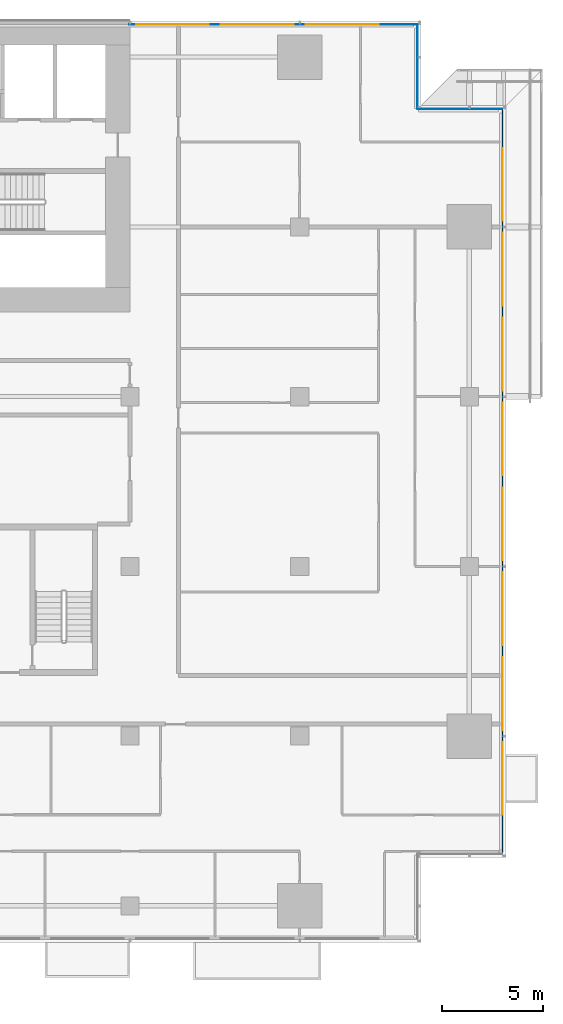
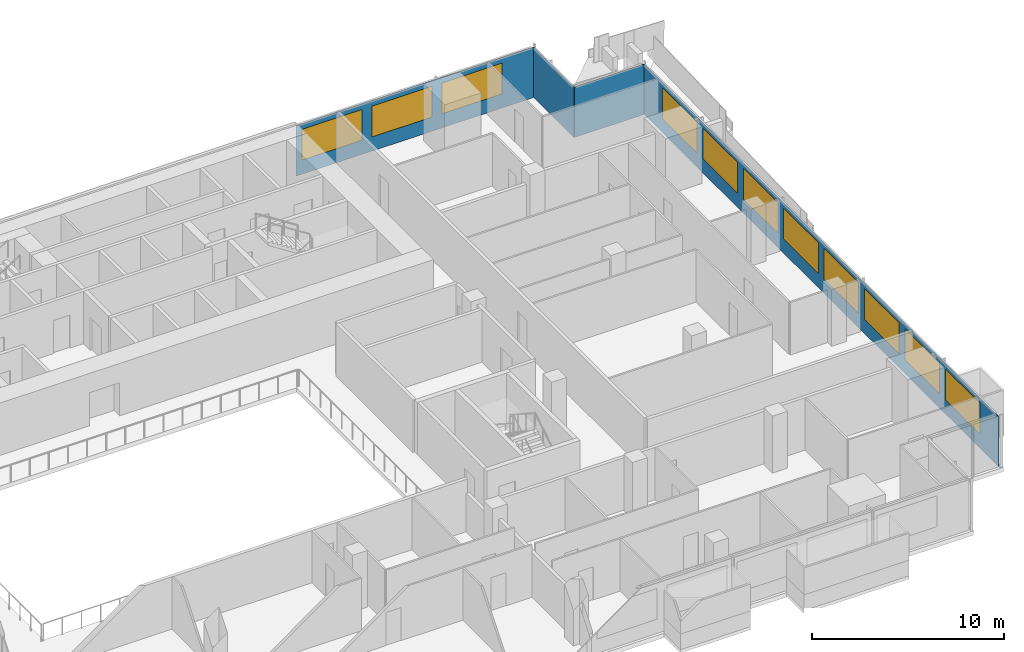
# One storey, part 17 of 29: 11 windows, 4 plates, 11 openings, 4 elements without a shape of their own.
"""IFC4 building model written with IfcOpenShell, lengths in metres."""

import ifcopenshell
import ifcopenshell.guid

model = None  # the IFC model being written
_history = None  # IfcOwnerHistory: only IFC2X3 demands one
_inside = {}  # id of a spatial element -> (the spatial element, [elements in it])
_under = {}  # id of a project, library or spatial element -> (it, [spatial elements below it])
_declared = {}  # id of a project -> (the project, [libraries it declares])
_typed = {}  # id of a type object -> (the type object, [elements of that type])
_made_of = {}  # id of a material, layer set ... -> (it, [elements and type objects made of it])


def new_model(schema):
    """Start an empty IFC model of exactly this schema.

    Asked for "IFC4X3", IfcOpenShell would pick the latest addendum, in which some entities
    have other attributes; the version numbers below select the first issue.
    IFC2X3 requires an IfcOwnerHistory on every rooted entity: one is made here for all.
    """
    global model, _history
    if schema == "IFC4X3":
        model = ifcopenshell.file(schema_version=(4, 3, 0, 0))
    else:
        model = ifcopenshell.file(schema=schema)
    _inside.clear()
    _under.clear()
    _declared.clear()
    _typed.clear()
    _made_of.clear()
    _history = None
    if model.schema == "IFC2X3":
        org = make("IfcOrganization", Name="unknown")
        user = make(
            "IfcPersonAndOrganization",
            ThePerson=make("IfcPerson", FamilyName="unknown"),
            TheOrganization=org,
        )
        app = make(
            "IfcApplication",
            ApplicationDeveloper=org,
            Version="unknown",
            ApplicationFullName="unknown",
            ApplicationIdentifier="unknown",
        )
        _history = make(
            "IfcOwnerHistory",
            OwningUser=user,
            OwningApplication=app,
            ChangeAction="ADDED",
            CreationDate=0,
        )
    return model


def make(cls, **values):
    """One entity of the class cls with the attributes given. An attribute that is None is left unset."""
    return model.create_entity(
        cls, **{name: value for name, value in values.items() if value is not None}
    )


def rooted(cls, **values):
    """An entity with a GlobalId (a new one), such as an element, a storey or a relation."""
    return make(cls, GlobalId=ifcopenshell.guid.new(), OwnerHistory=_history, **values)


def si_unit(unit_type, name, prefix=None):
    """IfcSIUnit, for example si_unit("LENGTHUNIT", "METRE", prefix="MILLI")."""
    return make("IfcSIUnit", UnitType=unit_type, Prefix=prefix, Name=name)


def assignment(units):
    """IfcUnitAssignment: the units of a project."""
    return None if units is None else make("IfcUnitAssignment", Units=units)


def point(xyz):
    """IfcCartesianPoint."""
    return None if xyz is None else make("IfcCartesianPoint", Coordinates=xyz)


def direction(xyz):
    """IfcDirection."""
    return None if xyz is None else make("IfcDirection", DirectionRatios=xyz)


def frame(location, z_axis=None, x_axis=None):
    """IfcAxis2Placement3D, a coordinate frame: its origin and axes. An axis left out is left unset."""
    return make(
        "IfcAxis2Placement3D",
        Location=point(location),
        Axis=direction(z_axis),
        RefDirection=direction(x_axis),
    )


def frame_2d(location, x_axis=None):
    """IfcAxis2Placement2D, a coordinate frame in the plane: its origin and x axis."""
    return make(
        "IfcAxis2Placement2D", Location=point(location), RefDirection=direction(x_axis)
    )


def origin():
    """The frame at (0, 0, 0) with its axes left unset."""
    return frame((0.0, 0.0, 0.0))


def place(relative_to, where):
    """IfcLocalPlacement: puts the frame where relative to a parent placement (None: the world)."""
    return make(
        "IfcLocalPlacement", PlacementRelTo=relative_to, RelativePlacement=where
    )


def context(
    kind, dimensions, precision=None, world=None, true_north=None, identifier=None
):
    """IfcGeometricRepresentationContext, for example the 3D "Model" context."""
    return make(
        "IfcGeometricRepresentationContext",
        ContextIdentifier=identifier,
        ContextType=kind,
        CoordinateSpaceDimension=dimensions,
        Precision=precision,
        WorldCoordinateSystem=world,
        TrueNorth=true_north,
    )


def subcontext(parent, identifier, kind, view, scale=None):
    """IfcGeometricRepresentationSubContext, for example "Body" below "Model"."""
    return make(
        "IfcGeometricRepresentationSubContext",
        ContextIdentifier=identifier,
        ContextType=kind,
        ParentContext=parent,
        TargetScale=scale,
        TargetView=view,
    )


def project(units=None, contexts=None):
    """IfcProject with its units and contexts."""
    return rooted(
        "IfcProject",
        Name="project",
        RepresentationContexts=contexts,
        UnitsInContext=assignment(units),
    )


def spatial(cls, under=None, at=None, **own):
    """A site, building, storey or space (cls), placed at a placement, below another one or the project."""
    s = rooted(cls, ObjectPlacement=at, **own)
    if under is not None:
        _under.setdefault(under.id(), (under, []))[1].append(s)
    return s


def profile(cls, at=None, kind="AREA", **sizes):
    """A parametric profile (cls). Its sizes go by their IFC names, for example OverallWidth=200.0."""
    return make(cls, ProfileType=kind, Position=at, **sizes)


def rectangle(**sizes):
    """IfcRectangleProfileDef."""
    return profile("IfcRectangleProfileDef", **sizes)


def extrude(swept, where, along, depth):
    """IfcExtrudedAreaSolid: the profile swept, set in the frame where, extruded along a direction by depth."""
    return make(
        "IfcExtrudedAreaSolid",
        SweptArea=swept,
        Position=where,
        ExtrudedDirection=direction(along),
        Depth=depth,
    )


def shape(context_of_items, identifier, shape_type, items):
    """IfcShapeRepresentation: the items that make up one representation, for example the "Body"."""
    return make(
        "IfcShapeRepresentation",
        ContextOfItems=context_of_items,
        RepresentationIdentifier=identifier,
        RepresentationType=shape_type,
        Items=items,
    )


def material(Name=None, Category=None):
    """IfcMaterial."""
    return make("IfcMaterial", Name=Name, Category=Category)


def layer(
    of_material, thickness, ventilated=None, Name=None, Category=None, Priority=None
):
    """IfcMaterialLayer: one layer of a wall or slab, of a material (None: an air gap)."""
    return make(
        "IfcMaterialLayer",
        Material=of_material,
        LayerThickness=thickness,
        IsVentilated=ventilated,
        Name=Name,
        Category=Category,
        Priority=Priority,
    )


def layer_set(layers, Name=None):
    """IfcMaterialLayerSet."""
    return make("IfcMaterialLayerSet", MaterialLayers=layers, LayerSetName=Name)


def made_of(thing, what):
    """Note that an element or type object is made of a material, layer set ...; save() writes the relation."""
    if what is not None:
        _made_of.setdefault(what.id(), (what, []))[1].append(thing)
    return thing


def type_object(cls, material=None, **own):
    """A type object (cls), such as IfcWallType, which elements share."""
    return made_of(rooted(cls, **own), material)


def element(
    cls,
    number,
    at=None,
    inside=None,
    cuts=None,
    type_object=None,
    material=None,
    context=None,
    identifier="Body",
    shape_type=None,
    held_by="IfcProductDefinitionShape",
    body=None,
    shapes=None,
    **own,
):
    """One element of the class cls, such as IfcWall. Its Tag is "e" and its number.

    at: its placement. inside: the storey or other place that contains it. cuts: it is an
    opening in that element (IfcRelVoidsElement). A single representation is given by context,
    identifier, shape_type and body (its items); several are given by shapes. held_by: the class
    of the entity that holds the representations. save() writes the other relations.
    """
    e = rooted(cls, Tag="e%d" % number, ObjectPlacement=at, **own)
    if body is not None:
        shapes = [shape(context, identifier, shape_type, body)]
    if shapes is not None:
        e.Representation = make(held_by, Representations=shapes)
    if inside is not None:
        _inside.setdefault(inside.id(), (inside, []))[1].append(e)
    if cuts is not None:
        rooted(
            "IfcRelVoidsElement", RelatingBuildingElement=cuts, RelatedOpeningElement=e
        )
    if type_object is not None:
        _typed.setdefault(type_object.id(), (type_object, []))[1].append(e)
    return made_of(e, material)


def fill(opening, filler):
    """IfcRelFillsElement: the door or window that sits in an opening."""
    return rooted(
        "IfcRelFillsElement",
        RelatingOpeningElement=opening,
        RelatedBuildingElement=filler,
    )


def aggregate(whole, parts):
    """IfcRelAggregates: a whole, such as a stair, and the parts it consists of."""
    return rooted("IfcRelAggregates", RelatingObject=whole, RelatedObjects=parts)


def save(model, path):
    """Write the relations noted so far, then the file.

    IfcRelAggregates (storeys below a building ...), IfcRelContainedInSpatialStructure (elements
    in a storey), IfcRelDefinesByType, IfcRelAssociatesMaterial and IfcRelDeclares: one each for
    every whole, place, type object, material and project.
    """
    for whole, parts in _under.values():
        aggregate(whole, parts)
    for where, things in _inside.values():
        rooted(
            "IfcRelContainedInSpatialStructure",
            RelatedElements=things,
            RelatingStructure=where,
        )
    for kind, things in _typed.values():
        rooted("IfcRelDefinesByType", RelatedObjects=things, RelatingType=kind)
    for what, things in _made_of.values():
        rooted("IfcRelAssociatesMaterial", RelatedObjects=things, RelatingMaterial=what)
    for by, libraries in _declared.values():
        rooted("IfcRelDeclares", RelatingContext=by, RelatedDefinitions=libraries)
    model.write(path)


model = new_model("IFC4")

# Units and contexts
model_context = context("Model", 3, precision=1e-05, world=origin(), true_north=direction((0.0, 1.0)))
body_context = subcontext(model_context, "Body", "Model", "MODEL_VIEW")
ifc_project = project(units=[si_unit("LENGTHUNIT", "METRE"), si_unit("AREAUNIT", "SQUARE_METRE"), si_unit("VOLUMEUNIT", "CUBIC_METRE"), si_unit("PLANEANGLEUNIT", "RADIAN"), si_unit("MASSUNIT", "GRAM", prefix="KILO")], contexts=[model_context])

# Site, building, storey
site_placement = place(None, origin())
site = spatial("IfcSite", under=ifc_project, at=site_placement, CompositionType="ELEMENT")
building_placement = place(site_placement, origin())
building = spatial("IfcBuilding", under=site, at=building_placement, Name="Saffron Gate Tower", CompositionType="ELEMENT")
storey_placement = place(building_placement, frame((0.0, 0.0, 55.199951171875)))
storey = spatial("IfcBuildingStorey", under=building, at=storey_placement, Name="L12", CompositionType="ELEMENT", Elevation=55.199951171875)

# Curtain wall, plate, openings, windows
ifc_material_1 = material(Name="Aluminium, bronze anodised", Category="aluminium")
curtain_wall_type_1 = type_object("IfcCurtainWallType", Name="CWS2 curtain wall side facades", PredefinedType="NOTDEFINED", material=ifc_material_1)
curtain_wall_1_placement = place(storey_placement, origin())
curtain_wall_1 = element("IfcCurtainWall", 1, at=curtain_wall_1_placement, inside=storey, type_object=curtain_wall_type_1, Name="CWS2 run 4", PredefinedType="NOTDEFINED")
ifc_material_2 = material(Name="Fritted bronze-tinted laminated glass", Category="glass")
ifc_layer_1 = layer(ifc_material_2, 0.028076171875)
ifc_layer_set_1 = layer_set([ifc_layer_1], Name="CWS2 fixed glass")
plate_type_1 = type_object("IfcPlateType", Name="CWS2 fixed glass", PredefinedType="CURTAIN_PANEL", material=ifc_layer_set_1)
plate_1_placement = place(storey_placement, frame((127.02587890625, 34.387939453125, 0.0), z_axis=(0.0, 0.0, 1.0), x_axis=(0.0, 1.0, 0.0)))
plate_1 = element("IfcPlate", 2, at=plate_1_placement, type_object=plate_type_1, Name="CWS2 glass panel", PredefinedType="CURTAIN_PANEL", context=body_context, shape_type="SweptSolid", body=[
    extrude(rectangle(XDim=36.823974609375, YDim=0.028076171875, at=frame_2d((18.412109375, 0.0))), origin(), (0.0, 0.0, 1.0), 3.199951171875),
])
opening_1_placement = place(plate_1_placement, frame((1.912109375, 0.0, 0.89990234375)))
opening_1 = element("IfcOpeningElement", 3, at=opening_1_placement, cuts=plate_1, Name="Opening W1", PredefinedType="OPENING", context=body_context, shape_type="SweptSolid", body=[
    extrude(rectangle(XDim=3.60009765625, YDim=1.949951171875, at=frame_2d((1.800048828125, 0.97509765625))), frame((0.0, 0.02392578125, 0.0), z_axis=(0.0, -1.0, 0.0), x_axis=(1.0, 0.0, 0.0)), (0.0, 0.0, 1.0), 0.048095703125),
])
opening_2_placement = place(plate_1_placement, frame((6.112060546875, 0.0, 0.89990234375)))
opening_2 = element("IfcOpeningElement", 4, at=opening_2_placement, cuts=plate_1, Name="Opening W1", PredefinedType="OPENING", context=body_context, shape_type="SweptSolid", body=[
    extrude(rectangle(XDim=3.60009765625, YDim=1.949951171875, at=frame_2d((1.800048828125, 0.97509765625))), frame((0.0, 0.02392578125, 0.0), z_axis=(0.0, -1.0, 0.0), x_axis=(1.0, 0.0, 0.0)), (0.0, 0.0, 1.0), 0.048095703125),
])
opening_3_placement = place(plate_1_placement, frame((10.31201171875, 0.0, 0.89990234375)))
opening_3 = element("IfcOpeningElement", 5, at=opening_3_placement, cuts=plate_1, Name="Opening W1", PredefinedType="OPENING", context=body_context, shape_type="SweptSolid", body=[
    extrude(rectangle(XDim=3.60009765625, YDim=1.949951171875, at=frame_2d((1.800048828125, 0.97509765625))), frame((0.0, 0.02392578125, 0.0), z_axis=(0.0, -1.0, 0.0), x_axis=(1.0, 0.0, 0.0)), (0.0, 0.0, 1.0), 0.048095703125),
])
opening_4_placement = place(plate_1_placement, frame((14.511962890625, 0.0, 0.89990234375)))
opening_4 = element("IfcOpeningElement", 6, at=opening_4_placement, cuts=plate_1, Name="Opening W1", PredefinedType="OPENING", context=body_context, shape_type="SweptSolid", body=[
    extrude(rectangle(XDim=3.60009765625, YDim=1.949951171875, at=frame_2d((1.800048828125, 0.97509765625))), frame((0.0, 0.02392578125, 0.0), z_axis=(0.0, -1.0, 0.0), x_axis=(1.0, 0.0, 0.0)), (0.0, 0.0, 1.0), 0.048095703125),
])
opening_5_placement = place(plate_1_placement, frame((18.7119140625, 0.0, 0.89990234375)))
opening_5 = element("IfcOpeningElement", 7, at=opening_5_placement, cuts=plate_1, Name="Opening W1", PredefinedType="OPENING", context=body_context, shape_type="SweptSolid", body=[
    extrude(rectangle(XDim=3.60009765625, YDim=1.949951171875, at=frame_2d((1.800048828125, 0.97509765625))), frame((0.0, 0.02392578125, 0.0), z_axis=(0.0, -1.0, 0.0), x_axis=(1.0, 0.0, 0.0)), (0.0, 0.0, 1.0), 0.048095703125),
])
opening_6_placement = place(plate_1_placement, frame((22.912109375, 0.0, 0.89990234375)))
opening_6 = element("IfcOpeningElement", 8, at=opening_6_placement, cuts=plate_1, Name="Opening W1", PredefinedType="OPENING", context=body_context, shape_type="SweptSolid", body=[
    extrude(rectangle(XDim=3.60009765625, YDim=1.949951171875, at=frame_2d((1.800048828125, 0.97509765625))), frame((0.0, 0.02392578125, 0.0), z_axis=(0.0, -1.0, 0.0), x_axis=(1.0, 0.0, 0.0)), (0.0, 0.0, 1.0), 0.048095703125),
])
opening_7_placement = place(plate_1_placement, frame((27.112060546875, 0.0, 0.89990234375)))
opening_7 = element("IfcOpeningElement", 9, at=opening_7_placement, cuts=plate_1, Name="Opening W1", PredefinedType="OPENING", context=body_context, shape_type="SweptSolid", body=[
    extrude(rectangle(XDim=3.60009765625, YDim=1.949951171875, at=frame_2d((1.800048828125, 0.97509765625))), frame((0.0, 0.02392578125, 0.0), z_axis=(0.0, -1.0, 0.0), x_axis=(1.0, 0.0, 0.0)), (0.0, 0.0, 1.0), 0.048095703125),
])
opening_8_placement = place(plate_1_placement, frame((31.31201171875, 0.0, 0.89990234375)))
opening_8 = element("IfcOpeningElement", 10, at=opening_8_placement, cuts=plate_1, Name="Opening W1", PredefinedType="OPENING", context=body_context, shape_type="SweptSolid", body=[
    extrude(rectangle(XDim=3.60009765625, YDim=1.949951171875, at=frame_2d((1.800048828125, 0.97509765625))), frame((0.0, 0.02392578125, 0.0), z_axis=(0.0, -1.0, 0.0), x_axis=(1.0, 0.0, 0.0)), (0.0, 0.0, 1.0), 0.048095703125),
])
ifc_material_3 = material(Name="Fritted bronze-tinted laminated glass in bronze frame", Category="glass")
ifc_layer_2 = layer(ifc_material_3, 0.06005859375)
ifc_layer_set_2 = layer_set([ifc_layer_2], Name="W1 operable panel 3600x1950")
window_type = type_object("IfcWindowType", Name="W1 operable panel 3600x1950", PartitioningType="DOUBLE_PANEL_HORIZONTAL", PredefinedType="WINDOW", material=ifc_layer_set_2)
window_1_placement = place(opening_1_placement, origin())
window_1 = element("IfcWindow", 11, at=window_1_placement, type_object=window_type, Name="W1 operable panel", OverallHeight=1.949951171875, OverallWidth=3.60009765625, PartitioningType="SINGLE_PANEL", PredefinedType="WINDOW", context=body_context, shape_type="SweptSolid", body=[
    extrude(rectangle(XDim=3.60009765625, YDim=1.949951171875, at=frame_2d((1.800048828125, 0.97509765625))), frame((0.0, 0.013671875, 0.0), z_axis=(0.0, -1.0, 0.0), x_axis=(1.0, 0.0, 0.0)), (0.0, 0.0, 1.0), 0.027587890625),
])
fill(opening_1, window_1)
window_2_placement = place(opening_2_placement, origin())
window_2 = element("IfcWindow", 12, at=window_2_placement, type_object=window_type, Name="W1 operable panel", OverallHeight=1.949951171875, OverallWidth=3.60009765625, PartitioningType="SINGLE_PANEL", PredefinedType="WINDOW", context=body_context, shape_type="SweptSolid", body=[
    extrude(rectangle(XDim=3.60009765625, YDim=1.949951171875, at=frame_2d((1.800048828125, 0.97509765625))), frame((0.0, 0.013671875, 0.0), z_axis=(0.0, -1.0, 0.0), x_axis=(1.0, 0.0, 0.0)), (0.0, 0.0, 1.0), 0.027587890625),
])
fill(opening_2, window_2)
window_3_placement = place(opening_3_placement, origin())
window_3 = element("IfcWindow", 13, at=window_3_placement, type_object=window_type, Name="W1 operable panel", OverallHeight=1.949951171875, OverallWidth=3.60009765625, PartitioningType="SINGLE_PANEL", PredefinedType="WINDOW", context=body_context, shape_type="SweptSolid", body=[
    extrude(rectangle(XDim=3.60009765625, YDim=1.949951171875, at=frame_2d((1.800048828125, 0.97509765625))), frame((0.0, 0.013671875, 0.0), z_axis=(0.0, -1.0, 0.0), x_axis=(1.0, 0.0, 0.0)), (0.0, 0.0, 1.0), 0.027587890625),
])
fill(opening_3, window_3)
window_4_placement = place(opening_4_placement, origin())
window_4 = element("IfcWindow", 14, at=window_4_placement, type_object=window_type, Name="W1 operable panel", OverallHeight=1.949951171875, OverallWidth=3.60009765625, PartitioningType="SINGLE_PANEL", PredefinedType="WINDOW", context=body_context, shape_type="SweptSolid", body=[
    extrude(rectangle(XDim=3.60009765625, YDim=1.949951171875, at=frame_2d((1.800048828125, 0.97509765625))), frame((0.0, 0.013671875, 0.0), z_axis=(0.0, -1.0, 0.0), x_axis=(1.0, 0.0, 0.0)), (0.0, 0.0, 1.0), 0.027587890625),
])
fill(opening_4, window_4)
window_5_placement = place(opening_5_placement, origin())
window_5 = element("IfcWindow", 15, at=window_5_placement, type_object=window_type, Name="W1 operable panel", OverallHeight=1.949951171875, OverallWidth=3.60009765625, PartitioningType="SINGLE_PANEL", PredefinedType="WINDOW", context=body_context, shape_type="SweptSolid", body=[
    extrude(rectangle(XDim=3.60009765625, YDim=1.949951171875, at=frame_2d((1.800048828125, 0.97509765625))), frame((0.0, 0.013671875, 0.0), z_axis=(0.0, -1.0, 0.0), x_axis=(1.0, 0.0, 0.0)), (0.0, 0.0, 1.0), 0.027587890625),
])
fill(opening_5, window_5)
window_6_placement = place(opening_6_placement, origin())
window_6 = element("IfcWindow", 16, at=window_6_placement, type_object=window_type, Name="W1 operable panel", OverallHeight=1.949951171875, OverallWidth=3.60009765625, PartitioningType="SINGLE_PANEL", PredefinedType="WINDOW", context=body_context, shape_type="SweptSolid", body=[
    extrude(rectangle(XDim=3.60009765625, YDim=1.949951171875, at=frame_2d((1.800048828125, 0.97509765625))), frame((0.0, 0.013671875, 0.0), z_axis=(0.0, -1.0, 0.0), x_axis=(1.0, 0.0, 0.0)), (0.0, 0.0, 1.0), 0.027587890625),
])
fill(opening_6, window_6)
window_7_placement = place(opening_7_placement, origin())
window_7 = element("IfcWindow", 17, at=window_7_placement, type_object=window_type, Name="W1 operable panel", OverallHeight=1.949951171875, OverallWidth=3.60009765625, PartitioningType="SINGLE_PANEL", PredefinedType="WINDOW", context=body_context, shape_type="SweptSolid", body=[
    extrude(rectangle(XDim=3.60009765625, YDim=1.949951171875, at=frame_2d((1.800048828125, 0.97509765625))), frame((0.0, 0.013671875, 0.0), z_axis=(0.0, -1.0, 0.0), x_axis=(1.0, 0.0, 0.0)), (0.0, 0.0, 1.0), 0.027587890625),
])
fill(opening_7, window_7)
window_8_placement = place(opening_8_placement, origin())
window_8 = element("IfcWindow", 18, at=window_8_placement, type_object=window_type, Name="W1 operable panel", OverallHeight=1.949951171875, OverallWidth=3.60009765625, PartitioningType="SINGLE_PANEL", PredefinedType="WINDOW", context=body_context, shape_type="SweptSolid", body=[
    extrude(rectangle(XDim=3.60009765625, YDim=1.949951171875, at=frame_2d((1.800048828125, 0.97509765625))), frame((0.0, 0.013671875, 0.0), z_axis=(0.0, -1.0, 0.0), x_axis=(1.0, 0.0, 0.0)), (0.0, 0.0, 1.0), 0.027587890625),
])
fill(opening_8, window_8)
aggregate(curtain_wall_1, [plate_1, window_1, window_2, window_3, window_4, window_5, window_6, window_7, window_8])

curtain_wall_type_2 = type_object("IfcCurtainWallType", Name="CWS3 curtain wall rear facade", PredefinedType="NOTDEFINED", material=ifc_material_1)
curtain_wall_2_placement = place(storey_placement, origin())
curtain_wall_2 = element("IfcCurtainWall", 19, at=curtain_wall_2_placement, inside=storey, type_object=curtain_wall_type_2, Name="CWS3 run 7", PredefinedType="NOTDEFINED")
ifc_material_4 = material(Name="Fritted grey-tinted laminated glass", Category="glass")
ifc_layer_3 = layer(ifc_material_4, 0.028076171875)
ifc_layer_set_3 = layer_set([ifc_layer_3], Name="CWS3 fixed glass")
plate_type_2 = type_object("IfcPlateType", Name="CWS3 fixed glass", PredefinedType="CURTAIN_PANEL", material=ifc_layer_set_3)
plate_2_placement = place(storey_placement, frame((122.81201171875, 75.426025390625, 0.0), z_axis=(0.0, 0.0, 1.0), x_axis=(-1.0, 0.0, 0.0)))
plate_2 = element("IfcPlate", 20, at=plate_2_placement, type_object=plate_type_2, Name="CWS3 glass panel", PredefinedType="CURTAIN_PANEL", context=body_context, shape_type="SweptSolid", body=[
    extrude(rectangle(XDim=14.2470703125, YDim=0.028076171875, at=frame_2d((7.12353515625, 0.0))), origin(), (0.0, 0.0, 1.0), 3.199951171875),
])
opening_9_placement = place(plate_2_placement, frame((1.912109375, 0.0, 0.89990234375)))
opening_9 = element("IfcOpeningElement", 21, at=opening_9_placement, cuts=plate_2, Name="Opening W1", PredefinedType="OPENING", context=body_context, shape_type="SweptSolid", body=[
    extrude(rectangle(XDim=3.60009765625, YDim=1.949951171875, at=frame_2d((1.800048828125, 0.97509765625))), frame((0.0, 0.02392578125, 0.0), z_axis=(0.0, -1.0, 0.0), x_axis=(1.0, 0.0, 0.0)), (0.0, 0.0, 1.0), 0.048095703125),
])
opening_10_placement = place(plate_2_placement, frame((6.112060546875, 0.0, 0.89990234375)))
opening_10 = element("IfcOpeningElement", 22, at=opening_10_placement, cuts=plate_2, Name="Opening W1", PredefinedType="OPENING", context=body_context, shape_type="SweptSolid", body=[
    extrude(rectangle(XDim=3.60009765625, YDim=1.949951171875, at=frame_2d((1.800048828125, 0.97509765625))), frame((0.0, 0.02392578125, 0.0), z_axis=(0.0, -1.0, 0.0), x_axis=(1.0, 0.0, 0.0)), (0.0, 0.0, 1.0), 0.048095703125),
])
opening_11_placement = place(plate_2_placement, frame((10.31201171875, 0.0, 0.89990234375)))
opening_11 = element("IfcOpeningElement", 23, at=opening_11_placement, cuts=plate_2, Name="Opening W1", PredefinedType="OPENING", context=body_context, shape_type="SweptSolid", body=[
    extrude(rectangle(XDim=3.60009765625, YDim=1.949951171875, at=frame_2d((1.800048828125, 0.97509765625))), frame((0.0, 0.02392578125, 0.0), z_axis=(0.0, -1.0, 0.0), x_axis=(1.0, 0.0, 0.0)), (0.0, 0.0, 1.0), 0.048095703125),
])
window_9_placement = place(opening_9_placement, origin())
window_9 = element("IfcWindow", 24, at=window_9_placement, type_object=window_type, Name="W1 operable panel", OverallHeight=1.949951171875, OverallWidth=3.60009765625, PartitioningType="SINGLE_PANEL", PredefinedType="WINDOW", context=body_context, shape_type="SweptSolid", body=[
    extrude(rectangle(XDim=3.60009765625, YDim=1.949951171875, at=frame_2d((1.800048828125, 0.97509765625))), frame((0.0, 0.013671875, 0.0), z_axis=(0.0, -1.0, 0.0), x_axis=(1.0, 0.0, 0.0)), (0.0, 0.0, 1.0), 0.027587890625),
])
fill(opening_9, window_9)
window_10_placement = place(opening_10_placement, origin())
window_10 = element("IfcWindow", 25, at=window_10_placement, type_object=window_type, Name="W1 operable panel", OverallHeight=1.949951171875, OverallWidth=3.60009765625, PartitioningType="SINGLE_PANEL", PredefinedType="WINDOW", context=body_context, shape_type="SweptSolid", body=[
    extrude(rectangle(XDim=3.60009765625, YDim=1.949951171875, at=frame_2d((1.800048828125, 0.97509765625))), frame((0.0, 0.013671875, 0.0), z_axis=(0.0, -1.0, 0.0), x_axis=(1.0, 0.0, 0.0)), (0.0, 0.0, 1.0), 0.027587890625),
])
fill(opening_10, window_10)
window_11_placement = place(opening_11_placement, origin())
window_11 = element("IfcWindow", 26, at=window_11_placement, type_object=window_type, Name="W1 operable panel", OverallHeight=1.949951171875, OverallWidth=3.60009765625, PartitioningType="SINGLE_PANEL", PredefinedType="WINDOW", context=body_context, shape_type="SweptSolid", body=[
    extrude(rectangle(XDim=3.60009765625, YDim=1.949951171875, at=frame_2d((1.800048828125, 0.97509765625))), frame((0.0, 0.013671875, 0.0), z_axis=(0.0, -1.0, 0.0), x_axis=(1.0, 0.0, 0.0)), (0.0, 0.0, 1.0), 0.027587890625),
])
fill(opening_11, window_11)
aggregate(curtain_wall_2, [plate_2, window_9, window_10, window_11])

# Curtain wall, plate
curtain_wall_type_3 = type_object("IfcCurtainWallType", Name="CWS4 curtain wall corner returns", PredefinedType="NOTDEFINED", material=ifc_material_1)
curtain_wall_3_placement = place(storey_placement, origin())
curtain_wall_3 = element("IfcCurtainWall", 27, at=curtain_wall_3_placement, inside=storey, type_object=curtain_wall_type_3, Name="CWS4 run 5", PredefinedType="NOTDEFINED")
ifc_layer_4 = layer(ifc_material_2, 0.028076171875)
ifc_layer_set_4 = layer_set([ifc_layer_4], Name="CWS4 fixed glass")
plate_type_3 = type_object("IfcPlateType", Name="CWS4 fixed glass", PredefinedType="CURTAIN_PANEL", material=ifc_layer_set_4)
plate_3_placement = place(storey_placement, frame((127.011962890625, 71.22607421875, 0.0), z_axis=(0.0, 0.0, 1.0), x_axis=(-1.0, 0.0, 0.0)))
plate_3 = element("IfcPlate", 28, at=plate_3_placement, type_object=plate_type_3, Name="CWS4 glass panel", PredefinedType="CURTAIN_PANEL", context=body_context, shape_type="SweptSolid", body=[
    extrude(rectangle(XDim=4.171875, YDim=0.028076171875, at=frame_2d((2.0859375, 0.0))), origin(), (0.0, 0.0, 1.0), 3.199951171875),
])
aggregate(curtain_wall_3, [plate_3])

curtain_wall_4_placement = place(storey_placement, origin())
curtain_wall_4 = element("IfcCurtainWall", 29, at=curtain_wall_4_placement, inside=storey, type_object=curtain_wall_type_3, Name="CWS4 run 6", PredefinedType="NOTDEFINED")
plate_4_placement = place(storey_placement, frame((122.825927734375, 71.239990234375, 0.0), z_axis=(0.0, 0.0, 1.0), x_axis=(0.0, 1.0, 0.0)))
plate_4 = element("IfcPlate", 30, at=plate_4_placement, type_object=plate_type_3, Name="CWS4 glass panel", PredefinedType="CURTAIN_PANEL", context=body_context, shape_type="SweptSolid", body=[
    extrude(rectangle(XDim=4.172119140625, YDim=0.028076171875, at=frame_2d((2.0859375, 0.0))), origin(), (0.0, 0.0, 1.0), 3.199951171875),
])
aggregate(curtain_wall_4, [plate_4])

save(model, "model.ifc")
